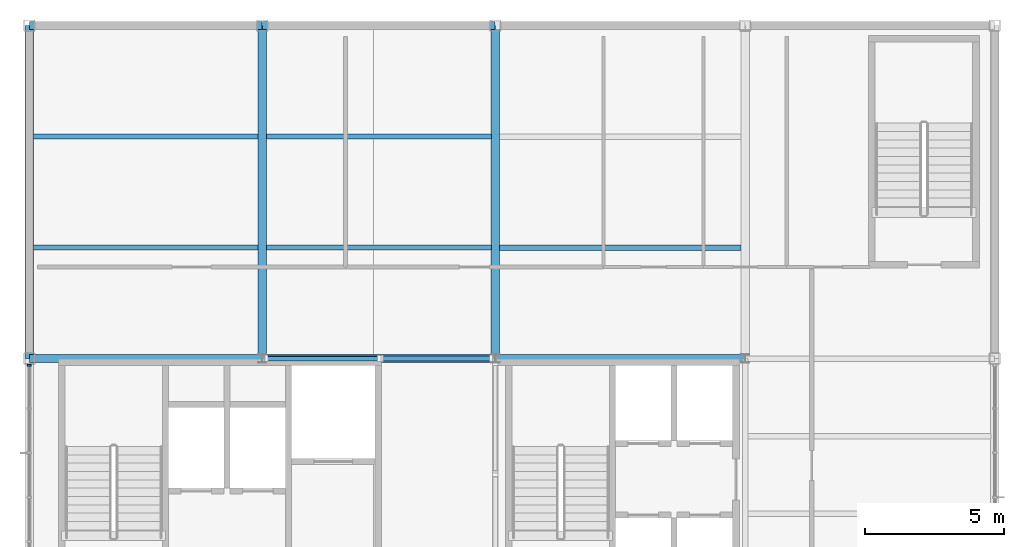
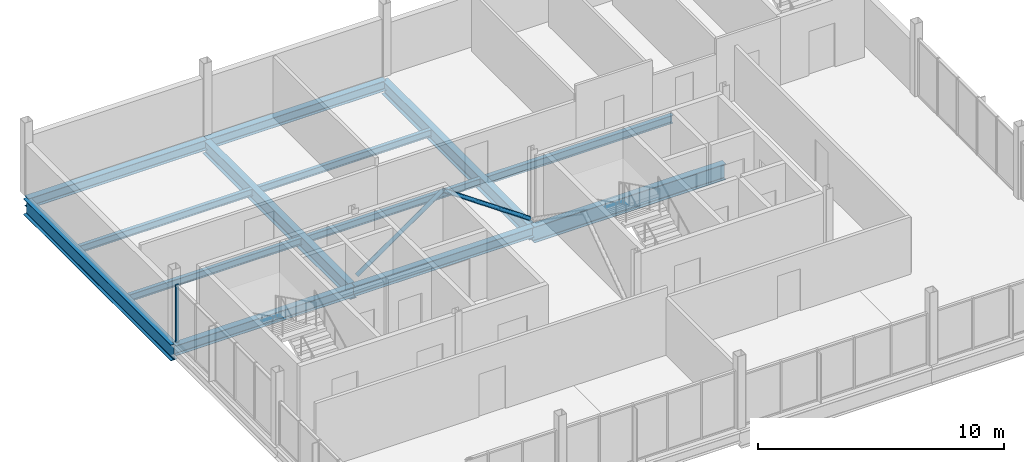
# One storey, part 7 of 15: 13 beams, 3 members, 1 element without a shape of its own.
"""IFC4 building model written with IfcOpenShell, lengths in metres."""

from ifc_helpers import new_model, si_unit, direction, frame, origin, origin_2d, place, context, subcontext, project, spatial, rectangle, hollow_circle, i_section, extrude, material, layer, layer_set, material_profile, profile_set, type_object, element, aggregate, save


model = new_model("IFC4")

# Units and contexts
model_context = context("Model", 3, precision=1e-05, world=origin(), true_north=direction((0.0, 1.0)))
body_context = subcontext(model_context, "Body", "Model", "MODEL_VIEW")
ifc_project = project(units=[si_unit("LENGTHUNIT", "METRE"), si_unit("AREAUNIT", "SQUARE_METRE"), si_unit("VOLUMEUNIT", "CUBIC_METRE"), si_unit("PLANEANGLEUNIT", "RADIAN"), si_unit("MASSUNIT", "GRAM", prefix="KILO")], contexts=[model_context])

# Site, building, storey
site_placement = place(None, origin())
site = spatial("IfcSite", under=ifc_project, at=site_placement, CompositionType="ELEMENT")
building_placement = place(site_placement, origin())
building = spatial("IfcBuilding", under=site, at=building_placement, Name="Yukiwa Park Conservatory and Herbarium", CompositionType="ELEMENT")
storey_placement = place(building_placement, frame((0.0, 0.0, 54.0)))
storey = spatial("IfcBuildingStorey", under=building, at=storey_placement, Name="L14", CompositionType="ELEMENT", Elevation=54.0)

# Beams
ifc_material_1 = material(Name="Steel Q355D", Category="steel")
ifc_material_profile_1 = material_profile(ifc_material_1, i_section(OverallWidth=0.300048828125, OverallDepth=0.699951171875, WebThickness=0.012939453125, FlangeThickness=0.02392578125, FilletRadius=0.028076171875, at=origin_2d()), Name="HN 700x300x13x24")
ifc_profile_set_1 = profile_set([ifc_material_profile_1], Name="Steel Q355D")
beam_type_1 = type_object("IfcBeamType", Name="BM-GRD-HN700", PredefinedType="BEAM", material=ifc_profile_set_1)
for number, where, z_axis, x_axis, name in (
    (1, (141.60009765625, 103.2060546875, -0.60400390625), (0.0, 1.0, 0.0), (-1.0, 0.0, 0.0), "L14 grid girder Y-21"),
    (2, (150.0, 103.2060546875, -0.60400390625), (0.0, 1.0, 0.0), (-1.0, 0.0, 0.0), "L14 grid girder Y-24"),
):
    element("IfcBeam", number, at=place(storey_placement, frame(where, z_axis=z_axis, x_axis=x_axis)), inside=storey, type_object=beam_type_1, Name=name, PredefinedType="BEAM", context=body_context, shape_type="SweptSolid", body=[
        extrude(i_section(OverallWidth=0.300048828125, OverallDepth=0.699951171875, WebThickness=0.012939453125, FlangeThickness=0.02392578125, FilletRadius=0.028076171875, at=origin_2d()), origin(), (0.0, 0.0, 1.0), 11.988037109375),
    ])
ifc_material_2 = material(Name="Steel Q355D", Category="steel")
ifc_material_profile_2 = material_profile(ifc_material_2, i_section(OverallWidth=0.174072265625, OverallDepth=0.345947265625, WebThickness=0.006103515625, FlangeThickness=0.009033203125, FilletRadius=0.013916015625, at=origin_2d()), Name="HN 346x174x6x9")
ifc_profile_set_2 = profile_set([ifc_material_profile_2], Name="Steel Q355D")
beam_type_2 = type_object("IfcBeamType", Name="BM-JST-HN346", PredefinedType="JOIST", material=ifc_profile_set_2)
for number, where, z_axis, x_axis, name in (
    (3, (133.345947265625, 107.199951171875, -0.427001953125), (1.0, 0.0, 0.0), (0.0, 1.0, 0.0), "L14 composite floor joist 3"),
    (4, (133.345947265625, 111.199951171875, -0.427001953125), (1.0, 0.0, 0.0), (0.0, 1.0, 0.0), "L14 composite floor joist 4"),
):
    element("IfcBeam", number, at=place(storey_placement, frame(where, z_axis=z_axis, x_axis=x_axis)), inside=storey, type_object=beam_type_2, Name=name, PredefinedType="JOIST", context=body_context, shape_type="SweptSolid", body=[
        extrude(i_section(OverallWidth=0.174072265625, OverallDepth=0.345947265625, WebThickness=0.006103515625, FlangeThickness=0.009033203125, FilletRadius=0.013916015625, at=origin_2d()), origin(), (0.0, 0.0, 1.0), 8.108154296875),
    ])
for number, where, z_axis, x_axis, name in (
    (5, (141.74609375, 107.199951171875, -0.427001953125), (1.0, 0.0, 0.0), (0.0, 1.0, 0.0), "L14 composite floor joist 7"),
    (6, (141.74609375, 111.199951171875, -0.427001953125), (1.0, 0.0, 0.0), (0.0, 1.0, 0.0), "L14 composite floor joist 8"),
):
    element("IfcBeam", number, at=place(storey_placement, frame(where, z_axis=z_axis, x_axis=x_axis)), inside=storey, type_object=beam_type_2, Name=name, PredefinedType="JOIST", context=body_context, shape_type="SweptSolid", body=[
        extrude(i_section(OverallWidth=0.174072265625, OverallDepth=0.345947265625, WebThickness=0.006103515625, FlangeThickness=0.009033203125, FilletRadius=0.013916015625, at=origin_2d()), origin(), (0.0, 0.0, 1.0), 8.10791015625),
    ])
ifc_material_3 = material(Name="Steel Q355D", Category="steel")
ifc_material_profile_3 = material_profile(ifc_material_3, i_section(OverallWidth=0.198974609375, OverallDepth=0.39599609375, WebThickness=0.007080078125, FlangeThickness=0.010986328125, FilletRadius=0.01611328125, at=origin_2d()), Name="HN 396x199x7x11")
ifc_profile_set_3 = profile_set([ifc_material_profile_3], Name="Steel Q355D")
beam_type_3 = type_object("IfcBeamType", Name="BM-JST-HN396", PredefinedType="JOIST", material=ifc_profile_set_3)
beam_1_placement = place(storey_placement, frame((150.14599609375, 107.199951171875, -0.451904296875), z_axis=(1.0, 0.0, 0.0), x_axis=(0.0, 1.0, 0.0)))
element("IfcBeam", 7, at=beam_1_placement, inside=storey, type_object=beam_type_3, Name="L14 composite floor joist 11", PredefinedType="JOIST", context=body_context, shape_type="SweptSolid", body=[
    extrude(i_section(OverallWidth=0.198974609375, OverallDepth=0.39599609375, WebThickness=0.007080078125, FlangeThickness=0.010986328125, FilletRadius=0.01611328125, at=origin_2d()), origin(), (0.0, 0.0, 1.0), 8.7080078125),
])
ifc_material_4 = material(Name="Steel Q355D", Category="steel")
ifc_material_profile_4 = material_profile(ifc_material_4, i_section(OverallWidth=0.300048828125, OverallDepth=0.5, WebThickness=0.010986328125, FlangeThickness=0.01806640625, FilletRadius=0.02392578125, at=origin_2d()), Name="HM 500x300x11x18")
ifc_profile_set_4 = profile_set([ifc_material_profile_4], Name="Steel Q355D")
beam_type_4 = type_object("IfcBeamType", Name="BM-SPN-HN500", PredefinedType="SPANDREL", material=ifc_profile_set_4)
for number, where, z_axis, x_axis, name in (
    (8, (133.2060546875, 103.199951171875, -0.50390625), (1.0, 0.0, 0.0), (0.0, 1.0, 0.0), "L14 spandrel beam X-9"),
    (9, (141.60595703125, 103.199951171875, -0.50390625), (1.0, 0.0, 0.0), (0.0, 1.0, 0.0), "L14 spandrel beam X-10"),
    (10, (133.2060546875, 115.199951171875, -0.50390625), (1.0, 0.0, 0.0), (0.0, 1.0, 0.0), "L14 spandrel beam X-13"),
    (11, (141.60595703125, 115.199951171875, -0.50390625), (1.0, 0.0, 0.0), (0.0, 1.0, 0.0), "L14 spandrel beam X-14"),
):
    element("IfcBeam", number, at=place(storey_placement, frame(where, z_axis=z_axis, x_axis=x_axis)), inside=storey, type_object=beam_type_4, Name=name, PredefinedType="SPANDREL", context=body_context, shape_type="SweptSolid", body=[
        extrude(i_section(OverallWidth=0.300048828125, OverallDepth=0.5, WebThickness=0.010986328125, FlangeThickness=0.01806640625, FilletRadius=0.02392578125, at=origin_2d()), origin(), (0.0, 0.0, 1.0), 8.387939453125),
    ])
ifc_material_5 = material(Name="Steel Q355D", Category="steel")
ifc_material_profile_5 = material_profile(ifc_material_5, i_section(OverallWidth=0.300048828125, OverallDepth=0.7919921875, WebThickness=0.013916015625, FlangeThickness=0.02197265625, FilletRadius=0.028076171875, at=origin_2d()), Name="HN 792x300x14x22")
ifc_profile_set_5 = profile_set([ifc_material_profile_5], Name="Steel Q355D")
beam_type_5 = type_object("IfcBeamType", Name="BM-SPN-HN600", PredefinedType="SPANDREL", material=ifc_profile_set_5)
beam_2_placement = place(storey_placement, frame((150.006103515625, 103.199951171875, -0.64990234375), z_axis=(1.0, 0.0, 0.0), x_axis=(0.0, 1.0, 0.0)))
element("IfcBeam", 12, at=beam_2_placement, inside=storey, type_object=beam_type_5, Name="L14 spandrel beam X-11", PredefinedType="SPANDREL", context=body_context, shape_type="SweptSolid", body=[
    extrude(i_section(OverallWidth=0.300048828125, OverallDepth=0.7919921875, WebThickness=0.013916015625, FlangeThickness=0.02197265625, FilletRadius=0.028076171875, at=origin_2d()), origin(), (0.0, 0.0, 1.0), 8.98779296875),
])
beam_3_placement = place(storey_placement, frame((133.199951171875, 103.2060546875, -0.64990234375), z_axis=(0.0, 1.0, 0.0), x_axis=(-1.0, 0.0, 0.0)))
element("IfcBeam", 13, at=beam_3_placement, inside=storey, type_object=beam_type_5, Name="L14 spandrel girder Y-19", PredefinedType="SPANDREL", context=body_context, shape_type="SweptSolid", body=[
    extrude(i_section(OverallWidth=0.300048828125, OverallDepth=0.7919921875, WebThickness=0.013916015625, FlangeThickness=0.02197265625, FilletRadius=0.028076171875, at=origin_2d()), origin(), (0.0, 0.0, 1.0), 11.988037109375),
])

# Members
ifc_material_6 = material(Name="Steel Q355D", Category="steel")
ifc_material_profile_6 = material_profile(ifc_material_6, hollow_circle(Radius=0.096923828125, WallThickness=0.010009765625, at=origin_2d()), Name="CHS 193.7x10")
ifc_profile_set_6 = profile_set([ifc_material_profile_6], Name="Steel Q355D")
member_type_1 = type_object("IfcMemberType", Name="MB-BR-CHS194", PredefinedType="BRACE", material=ifc_profile_set_6)
member_1_placement = place(storey_placement, frame((141.749267578125, 103.199951171875, 0.153564453125), z_axis=(0.821143188296, 0.0, 0.570722230438), x_axis=(0.0, 1.0, 0.0)))
element("IfcMember", 14, at=member_1_placement, inside=storey, type_object=member_type_1, Name="L14 concentric chevron brace 69", PredefinedType="BRACE", context=body_context, shape_type="SweptSolid", body=[
    extrude(hollow_circle(Radius=0.096923828125, WallThickness=0.010009765625, at=origin_2d()), origin(), (0.0, 0.0, 1.0), 4.93310546875),
])
member_2_placement = place(storey_placement, frame((149.8505859375, 103.199951171875, 0.153564453125), z_axis=(-0.821127067138, 0.0, 0.570745424522), x_axis=(0.0, -1.0, 0.0)))
element("IfcMember", 15, at=member_2_placement, inside=storey, type_object=member_type_1, Name="L14 concentric chevron brace 70", PredefinedType="BRACE", context=body_context, shape_type="SweptSolid", body=[
    extrude(hollow_circle(Radius=0.096923828125, WallThickness=0.010009765625, at=origin_2d()), origin(), (0.0, 0.0, 1.0), 4.932861328125),
])

# Curtain wall, member
ifc_material_7 = material(Name="Triple Low-E Insulated Glass", Category="glass")
ifc_layer = layer(ifc_material_7, 0.27197265625)
ifc_layer_set = layer_set([ifc_layer], Name="Triple Low-E Insulated Glass")
curtain_wall_type = type_object("IfcCurtainWallType", Name="CW-TOWER-LIB-1600", PredefinedType="NOTDEFINED", material=ifc_layer_set)
curtain_wall_placement = place(storey_placement, origin())
curtain_wall = element("IfcCurtainWall", 16, at=curtain_wall_placement, inside=storey, type_object=curtain_wall_type, Name="L14 unitised curtain wall CW-L14-135", PredefinedType="NOTDEFINED")
ifc_material_8 = material(Name="Anodised Aluminium", Category="aluminium")
member_type_2 = type_object("IfcMemberType", Name="MB-CW-MUL-70X150", PredefinedType="MULLION", material=ifc_material_8)
member_3_placement = place(storey_placement, frame((133.199951171875, 102.965087890625, 0.0), z_axis=(0.0, 0.0, 1.0), x_axis=(0.0, -1.0, 0.0)))
member_3 = element("IfcMember", 17, at=member_3_placement, type_object=member_type_2, Name="CW-L14-135 mullion 1", PredefinedType="MULLION", context=body_context, shape_type="SweptSolid", body=[
    extrude(rectangle(XDim=0.070068359375, YDim=0.14990234375, at=origin_2d()), origin(), (0.0, 0.0, 1.0), 2.843994140625),
])
aggregate(curtain_wall, [member_3])

save(model, "model.ifc")
